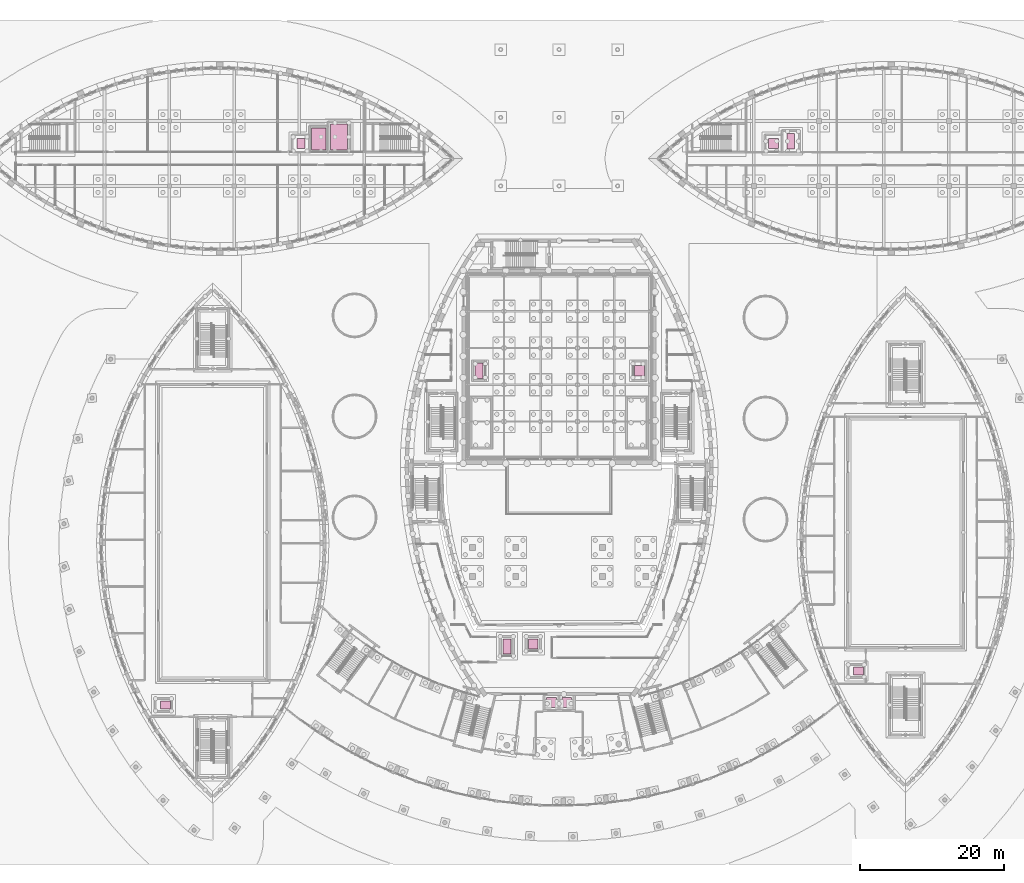
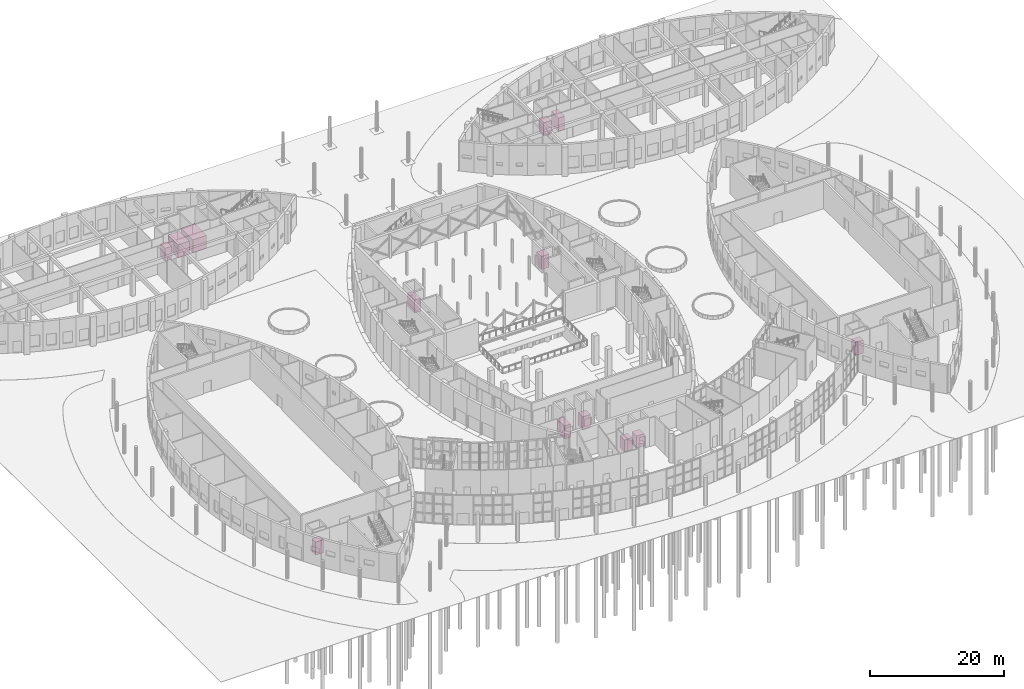
# One storey, part 82 of 82: 13 transport elements.
"""IFC4 building model written with IfcOpenShell, lengths in metres."""

from ifc_helpers import new_model, si_unit, direction, frame, origin, origin_2d, place, context, subcontext, project, spatial, rectangle, extrude, material, type_object, element, save


model = new_model("IFC4")

# Units and contexts
model_context = context("Model", 3, precision=1e-05, world=origin(), true_north=direction((0.0, 1.0)))
body_context = subcontext(model_context, "Body", "Model", "MODEL_VIEW")
ifc_project = project(units=[si_unit("LENGTHUNIT", "METRE"), si_unit("AREAUNIT", "SQUARE_METRE"), si_unit("VOLUMEUNIT", "CUBIC_METRE"), si_unit("PLANEANGLEUNIT", "RADIAN"), si_unit("MASSUNIT", "GRAM", prefix="KILO")], contexts=[model_context])

# Site, building, storey
site_placement = place(None, origin())
site = spatial("IfcSite", under=ifc_project, at=site_placement, CompositionType="ELEMENT")
building_placement = place(site_placement, origin())
building = spatial("IfcBuilding", under=site, at=building_placement, Name="Tide Square Theatres", CompositionType="ELEMENT")
storey_placement = place(building_placement, origin())
storey = spatial("IfcBuildingStorey", under=building, at=storey_placement, Name="L00", CompositionType="ELEMENT", Elevation=0.0)

# Transport elements
ifc_material_1 = material(Name="Stainless steel lift car and doors", Category="steel")
transport_element_type_1 = type_object("IfcTransportElementType", Name="Goods lift 3000 kg", PredefinedType="ELEVATOR", material=ifc_material_1)
transport_element_1_placement = place(storey_placement, frame((50.699951171875, 100.5, 0.0), z_axis=(0.0, 0.0, 1.0), x_axis=(1.0, 0.0, 0.0)))
element("IfcTransportElement", 1, at=transport_element_1_placement, inside=storey, type_object=transport_element_type_1, Name="Scenery Workshops Goods lift 3000 kg", PredefinedType="ELEVATOR", context=body_context, shape_type="SweptSolid", body=[
    extrude(rectangle(XDim=2.0, YDim=3.0, at=origin_2d()), origin(), (0.0, 0.0, 1.0), 2.39990234375),
])
ifc_material_2 = material(Name="Stainless steel lift car and doors", Category="steel")
transport_element_type_2 = type_object("IfcTransportElementType", Name="Passenger lift 630 kg", PredefinedType="ELEVATOR", material=ifc_material_2)
for number, where, z_axis, x_axis, name in (
    (2, (29.469970703125, 22.10009765625, 0.0), (0.0, 0.0, 1.0), (0.0, 1.0, 0.0), "Studio Theatre passenger lift 1"),
    (3, (125.469970703125, 26.800048828125, 0.0), (0.0, 0.0, 1.0), (0.0, 1.0, 0.0), "Black Box Theatre passenger lift 1"),
    (4, (48.199951171875, 99.89990234375, 0.0), (0.0, 0.0, 1.0), (1.0, 0.0, 0.0), "Scenery Workshops Passenger lift 630 kg"),
):
    element("IfcTransportElement", number, at=place(storey_placement, frame(where, z_axis=z_axis, x_axis=x_axis)), inside=storey, type_object=transport_element_type_2, Name=name, PredefinedType="ELEVATOR", context=body_context, shape_type="SweptSolid", body=[
        extrude(rectangle(XDim=1.10009765625, YDim=1.39990234375, at=origin_2d()), origin(), (0.0, 0.0, 1.0), 2.39990234375),
    ])
ifc_material_3 = material(Name="Stainless steel lift car and doors", Category="steel")
transport_element_type_3 = type_object("IfcTransportElementType", Name="Passenger lift 800 kg", PredefinedType="ELEVATOR", material=ifc_material_3)
for number, where, z_axis, x_axis, name in (
    (5, (80.425048828125, 30.550048828125, 0.0), (0.0, 0.0, 1.0), (1.0, 0.0, 0.0), "Main Theatre Passenger lift 800 kg"),
    (6, (95.1240234375, 68.39990234375, 1.199951171875), (0.0, 0.0, 1.0), (1.0, 0.0, 0.0), "Fly Tower Passenger lift 800 kg"),
):
    element("IfcTransportElement", number, at=place(storey_placement, frame(where, z_axis=z_axis, x_axis=x_axis)), inside=storey, type_object=transport_element_type_3, Name=name, PredefinedType="ELEVATOR", context=body_context, shape_type="SweptSolid", body=[
        extrude(rectangle(XDim=1.35009765625, YDim=1.39990234375, at=origin_2d()), origin(), (0.0, 0.0, 1.0), 2.39990234375),
    ])
for number, where, z_axis, x_axis, name in (
    (7, (82.949951171875, 22.40771484375, 0.0), (0.0, 0.0, 1.0), (1.0, 0.0, 0.0), "Foyer passenger lift 1"),
    (8, (85.050048828125, 22.40771484375, 0.0), (0.0, 0.0, 1.0), (1.0, 0.0, 0.0), "Foyer passenger lift 2"),
):
    element("IfcTransportElement", number, at=place(storey_placement, frame(where, z_axis=z_axis, x_axis=x_axis)), inside=storey, type_object=transport_element_type_3, Name=name, PredefinedType="ELEVATOR", context=body_context, shape_type="SweptSolid", body=[
        extrude(rectangle(XDim=1.35009765625, YDim=1.39990234375, at=origin_2d()), origin(), (0.0, 0.0, 1.0), 2.199951171875),
    ])
transport_element_2_placement = place(storey_placement, frame((113.699951171875, 99.89990234375, 0.0), z_axis=(0.0, 0.0, 1.0), x_axis=(1.0, 0.0, 0.0)))
element("IfcTransportElement", 9, at=transport_element_2_placement, inside=storey, type_object=transport_element_type_3, Name="Rehearsal Block Passenger lift 800 kg", PredefinedType="ELEVATOR", context=body_context, shape_type="SweptSolid", body=[
    extrude(rectangle(XDim=1.35009765625, YDim=1.39990234375, at=origin_2d()), origin(), (0.0, 0.0, 1.0), 2.39990234375),
])
ifc_material_4 = material(Name="Stainless steel lift car and doors", Category="steel")
transport_element_type_4 = type_object("IfcTransportElementType", Name="Scenery lift 5000 kg", PredefinedType="ELEVATOR", material=ifc_material_4)
transport_element_3_placement = place(storey_placement, frame((53.5, 100.800048828125, 0.0), z_axis=(0.0, 0.0, 1.0), x_axis=(1.0, 0.0, 0.0)))
element("IfcTransportElement", 10, at=transport_element_3_placement, inside=storey, type_object=transport_element_type_4, Name="Scenery Workshops Scenery lift 5000 kg", PredefinedType="ELEVATOR", context=body_context, shape_type="SweptSolid", body=[
    extrude(rectangle(XDim=2.39990234375, YDim=3.60009765625, at=origin_2d()), origin(), (0.0, 0.0, 1.0), 2.39990234375),
])
ifc_material_5 = material(Name="Stainless steel lift car and doors", Category="steel")
transport_element_type_5 = type_object("IfcTransportElementType", Name="Stretcher lift 1000 kg", PredefinedType="ELEVATOR", material=ifc_material_5)
for number, where, z_axis, x_axis, name in (
    (11, (76.75, 30.199951171875, 0.0), (0.0, 0.0, 1.0), (1.0, 0.0, 0.0), "Main Theatre Stretcher lift 1000 kg"),
    (12, (72.8759765625, 68.39990234375, 1.199951171875), (0.0, 0.0, 1.0), (1.0, 0.0, 0.0), "Fly Tower Stretcher lift 1000 kg"),
    (13, (116.10009765625, 100.199951171875, 0.0), (0.0, 0.0, 1.0), (1.0, 0.0, 0.0), "Rehearsal Block Stretcher lift 1000 kg"),
):
    element("IfcTransportElement", number, at=place(storey_placement, frame(where, z_axis=z_axis, x_axis=x_axis)), inside=storey, type_object=transport_element_type_5, Name=name, PredefinedType="ELEVATOR", context=body_context, shape_type="SweptSolid", body=[
        extrude(rectangle(XDim=1.10009765625, YDim=2.10009765625, at=origin_2d()), origin(), (0.0, 0.0, 1.0), 2.39990234375),
    ])

save(model, "model.ifc")
